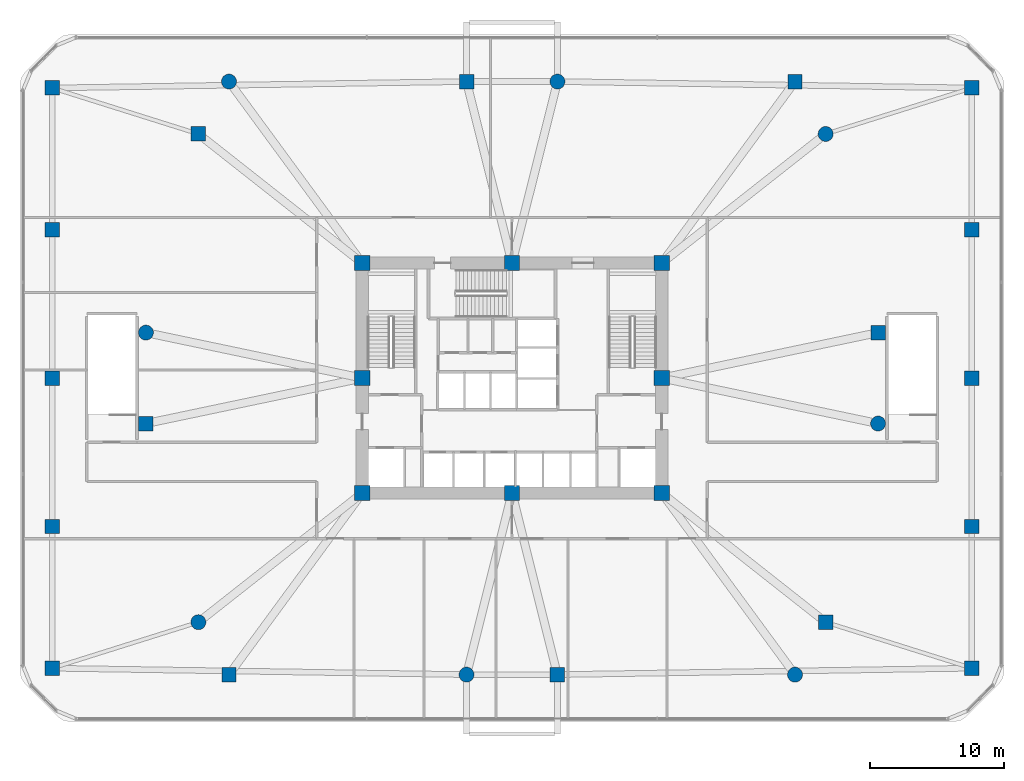
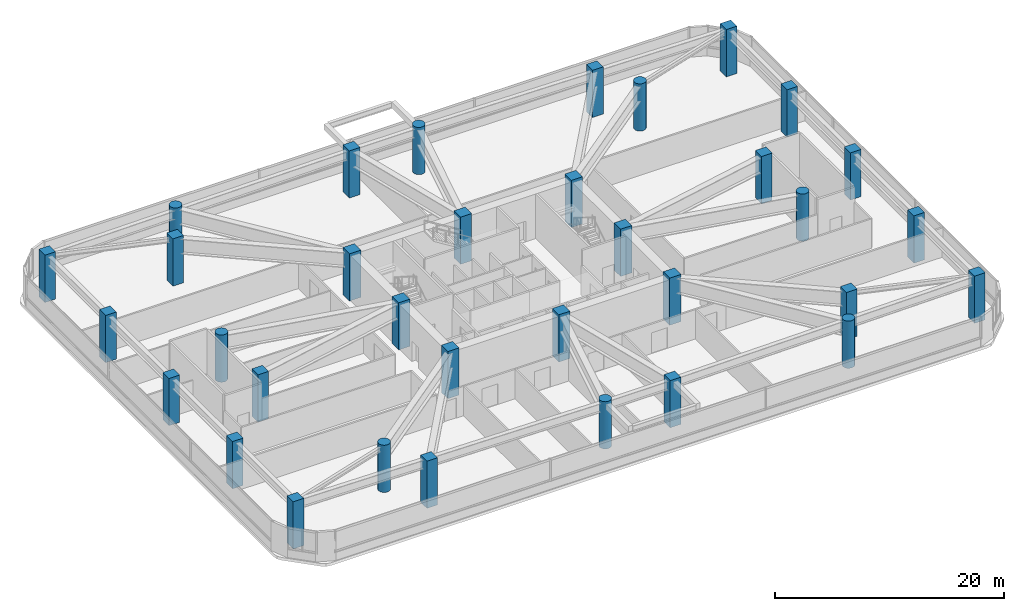
# One storey, part 1 of 21: 34 columns.
"""IFC4 building model written with IfcOpenShell, lengths in metres."""

from ifc_helpers import new_model, si_unit, derived_unit, direction, frame, origin, origin_2d, place, context, subcontext, project, spatial, rectangle, circle, extrude, material, material_profile, profile_set, type_object, element, save


model = new_model("IFC4")

# Units and contexts
model_context = context("Model", 3, precision=1e-05, world=origin(), true_north=direction((0.0, 1.0)))
body_context = subcontext(model_context, "Body", "Model", "MODEL_VIEW")
ifc_project = project(units=[si_unit("LENGTHUNIT", "METRE"), si_unit("AREAUNIT", "SQUARE_METRE"), si_unit("VOLUMEUNIT", "CUBIC_METRE"), si_unit("PLANEANGLEUNIT", "RADIAN"), si_unit("MASSUNIT", "GRAM", prefix="KILO"), derived_unit("THERMALTRANSMITTANCEUNIT", [(si_unit("POWERUNIT", "WATT"), 1), (si_unit("LENGTHUNIT", "METRE"), -2), (si_unit("THERMODYNAMICTEMPERATUREUNIT", "KELVIN"), -1)])], contexts=[model_context])

# Site, building, storey
site_placement = place(None, origin())
site = spatial("IfcSite", under=ifc_project, at=site_placement, CompositionType="ELEMENT")
building_placement = place(site_placement, origin())
building = spatial("IfcBuilding", under=site, at=building_placement, Name="Koralith Skygarden Medical Center", CompositionType="ELEMENT")
storey_placement = place(building_placement, frame((0.0, 0.0, 18.89990234375)))
storey = spatial("IfcBuildingStorey", under=building, at=storey_placement, Name="L04", CompositionType="ELEMENT", Elevation=18.89990234375)

# Columns
ifc_material = material(Name="Concrete C70/85", Category="concrete")
ifc_material_profile_1 = material_profile(ifc_material, rectangle(XDim=1.139892578125, YDim=1.139892578125, at=origin_2d()), Name="RC1140X1140")
ifc_profile_set_1 = profile_set([ifc_material_profile_1], Name="Concrete C70/85")
column_type_1 = type_object("IfcColumnType", Name="Core Mega-Column C70 RC1140", PredefinedType="COLUMN", material=ifc_profile_set_1)
for number, where, z_axis, x_axis, name in (
    (1, (25.800048828125, 17.300048828125, 0.0), (0.0, 0.0, 1.0), (1.0, 0.0, 0.0), "L04 Core Column CC-01"),
    (2, (37.0, 17.300048828125, 0.0), (0.0, 0.0, 1.0), (1.0, 0.0, 0.0), "L04 Core Column CC-02"),
    (3, (48.199951171875, 17.300048828125, 0.0), (0.0, 0.0, 1.0), (1.0, 0.0, 0.0), "L04 Core Column CC-03"),
    (4, (48.199951171875, 25.89990234375, 0.0), (0.0, 0.0, 1.0), (1.0, 0.0, 0.0), "L04 Core Column CC-04"),
    (5, (48.199951171875, 34.5, 0.0), (0.0, 0.0, 1.0), (1.0, 0.0, 0.0), "L04 Core Column CC-05"),
    (6, (37.0, 34.5, 0.0), (0.0, 0.0, 1.0), (1.0, 0.0, 0.0), "L04 Core Column CC-06"),
    (7, (25.800048828125, 34.5, 0.0), (0.0, 0.0, 1.0), (1.0, 0.0, 0.0), "L04 Core Column CC-07"),
    (8, (25.800048828125, 25.89990234375, 0.0), (0.0, 0.0, 1.0), (1.0, 0.0, 0.0), "L04 Core Column CC-08"),
):
    element("IfcColumn", number, at=place(storey_placement, frame(where, z_axis=z_axis, x_axis=x_axis)), inside=storey, type_object=column_type_1, Name=name, PredefinedType="COLUMN", context=body_context, shape_type="SweptSolid", body=[
        extrude(rectangle(XDim=1.139892578125, YDim=1.139892578125, at=origin_2d()), origin(), (0.0, 0.0, 1.0), 5.0400390625),
    ])
ifc_material_profile_2 = material_profile(ifc_material, rectangle(XDim=1.080078125, YDim=1.080078125, at=origin_2d()), Name="RC1080X1080")
ifc_profile_set_2 = profile_set([ifc_material_profile_2], Name="Concrete C70/85")
column_type_2 = type_object("IfcColumnType", Name="Podium Perimeter Column C70 RC1080", PredefinedType="COLUMN", material=ifc_profile_set_2)
for number, where, z_axis, x_axis, name in (
    (9, (2.60009765625, 4.199951171875, 0.0), (0.0, 0.0, 1.0), (1.0, 0.0, 0.0), "L04 Podium Perimeter Column PC-01"),
    (10, (2.60009765625, 14.800048828125, 0.0), (0.0, 0.0, 1.0), (1.0, 0.0, 0.0), "L04 Podium Perimeter Column PC-02"),
    (11, (2.60009765625, 25.89990234375, 0.0), (0.0, 0.0, 1.0), (1.0, 0.0, 0.0), "L04 Podium Perimeter Column PC-03"),
    (12, (2.60009765625, 37.0, 0.0), (0.0, 0.0, 1.0), (1.0, 0.0, 0.0), "L04 Podium Perimeter Column PC-04"),
    (13, (2.60009765625, 47.60009765625, 0.0), (0.0, 0.0, 1.0), (1.0, 0.0, 0.0), "L04 Podium Perimeter Column PC-05"),
    (14, (71.39990234375, 4.199951171875, 0.0), (0.0, 0.0, 1.0), (1.0, 0.0, 0.0), "L04 Podium Perimeter Column PC-06"),
    (15, (71.39990234375, 14.800048828125, 0.0), (0.0, 0.0, 1.0), (1.0, 0.0, 0.0), "L04 Podium Perimeter Column PC-07"),
    (16, (71.39990234375, 25.89990234375, 0.0), (0.0, 0.0, 1.0), (1.0, 0.0, 0.0), "L04 Podium Perimeter Column PC-08"),
    (17, (71.39990234375, 37.0, 0.0), (0.0, 0.0, 1.0), (1.0, 0.0, 0.0), "L04 Podium Perimeter Column PC-09"),
    (18, (71.39990234375, 47.60009765625, 0.0), (0.0, 0.0, 1.0), (1.0, 0.0, 0.0), "L04 Podium Perimeter Column PC-10"),
):
    element("IfcColumn", number, at=place(storey_placement, frame(where, z_axis=z_axis, x_axis=x_axis)), inside=storey, type_object=column_type_2, Name=name, PredefinedType="COLUMN", context=body_context, shape_type="SweptSolid", body=[
        extrude(rectangle(XDim=1.080078125, YDim=1.080078125, at=origin_2d()), origin(), (0.0, 0.0, 1.0), 5.0400390625),
    ])
ifc_material_profile_3 = material_profile(ifc_material, circle(Radius=0.56005859375, at=origin_2d()), Name="RCCOL1120")
ifc_profile_set_3 = profile_set([ifc_material_profile_3], Name="Concrete C70/85")
column_type_3 = type_object("IfcColumnType", Name="Station Round Mega-Column C70 D1120", PredefinedType="COLUMN", material=ifc_profile_set_3)
for number, where, z_axis, x_axis, name in (
    (19, (13.5400390625, 7.639892578125, 0.0), (0.0, 0.0, 1.0), (1.0, 0.0, 0.0), "L04 Tower Base Mega-Column TB-02"),
    (20, (33.60009765625, 3.719970703125, 0.0), (0.0, 0.0, 1.0), (1.0, 0.0, 0.0), "L04 Tower Base Mega-Column TB-04"),
    (21, (58.16796875, 3.719970703125, 0.0), (0.0, 0.0, 1.0), (1.0, 0.0, 0.0), "L04 Tower Base Mega-Column TB-06"),
    (22, (64.3798828125, 22.5, 0.0), (0.0, 0.0, 1.0), (1.0, 0.0, 0.0), "L04 Tower Base Mega-Column TB-08"),
    (23, (60.4599609375, 44.159912109375, 0.0), (0.0, 0.0, 1.0), (1.0, 0.0, 0.0), "L04 Tower Base Mega-Column TB-10"),
    (24, (40.39990234375, 48.080078125, 0.0), (0.0, 0.0, 1.0), (1.0, 0.0, 0.0), "L04 Tower Base Mega-Column TB-12"),
    (25, (15.83203125, 48.080078125, 0.0), (0.0, 0.0, 1.0), (1.0, 0.0, 0.0), "L04 Tower Base Mega-Column TB-14"),
    (26, (9.6201171875, 29.300048828125, 0.0), (0.0, 0.0, 1.0), (1.0, 0.0, 0.0), "L04 Tower Base Mega-Column TB-16"),
):
    element("IfcColumn", number, at=place(storey_placement, frame(where, z_axis=z_axis, x_axis=x_axis)), inside=storey, type_object=column_type_3, Name=name, PredefinedType="COLUMN", context=body_context, shape_type="SweptSolid", body=[
        extrude(circle(Radius=0.56005859375, at=origin_2d()), origin(), (0.0, 0.0, 1.0), 5.0400390625),
    ])
ifc_material_profile_4 = material_profile(ifc_material, rectangle(XDim=1.080078125, YDim=1.080078125, at=origin_2d()), Name="RC1080X1080")
ifc_profile_set_4 = profile_set([ifc_material_profile_4], Name="Concrete C70/85")
column_type_4 = type_object("IfcColumnType", Name="Zone 1 Octagonal Mega-Column C70 RC1080", PredefinedType="COLUMN", material=ifc_profile_set_4)
for number, where, z_axis, x_axis, name in (
    (27, (9.6201171875, 22.5, 0.0), (0.0, 0.0, 1.0), (1.0, 0.0, 0.0), "L04 Tower Base Mega-Column TB-01"),
    (28, (15.83203125, 3.719970703125, 0.0), (0.0, 0.0, 1.0), (1.0, 0.0, 0.0), "L04 Tower Base Mega-Column TB-03"),
    (29, (40.39990234375, 3.719970703125, 0.0), (0.0, 0.0, 1.0), (1.0, 0.0, 0.0), "L04 Tower Base Mega-Column TB-05"),
    (30, (60.4599609375, 7.639892578125, 0.0), (0.0, 0.0, 1.0), (1.0, 0.0, 0.0), "L04 Tower Base Mega-Column TB-07"),
    (31, (64.3798828125, 29.300048828125, 0.0), (0.0, 0.0, 1.0), (1.0, 0.0, 0.0), "L04 Tower Base Mega-Column TB-09"),
    (32, (58.16796875, 48.080078125, 0.0), (0.0, 0.0, 1.0), (1.0, 0.0, 0.0), "L04 Tower Base Mega-Column TB-11"),
    (33, (33.60009765625, 48.080078125, 0.0), (0.0, 0.0, 1.0), (1.0, 0.0, 0.0), "L04 Tower Base Mega-Column TB-13"),
    (34, (13.5400390625, 44.159912109375, 0.0), (0.0, 0.0, 1.0), (1.0, 0.0, 0.0), "L04 Tower Base Mega-Column TB-15"),
):
    element("IfcColumn", number, at=place(storey_placement, frame(where, z_axis=z_axis, x_axis=x_axis)), inside=storey, type_object=column_type_4, Name=name, PredefinedType="COLUMN", context=body_context, shape_type="SweptSolid", body=[
        extrude(rectangle(XDim=1.080078125, YDim=1.080078125, at=origin_2d()), origin(), (0.0, 0.0, 1.0), 5.0400390625),
    ])

save(model, "model.ifc")
